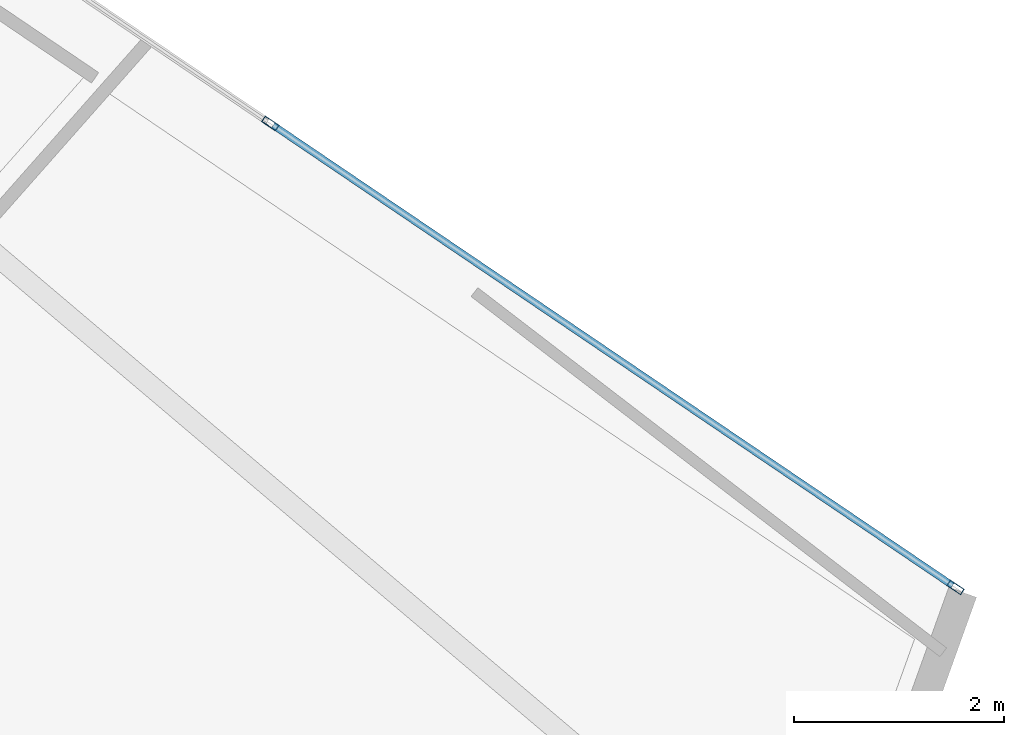
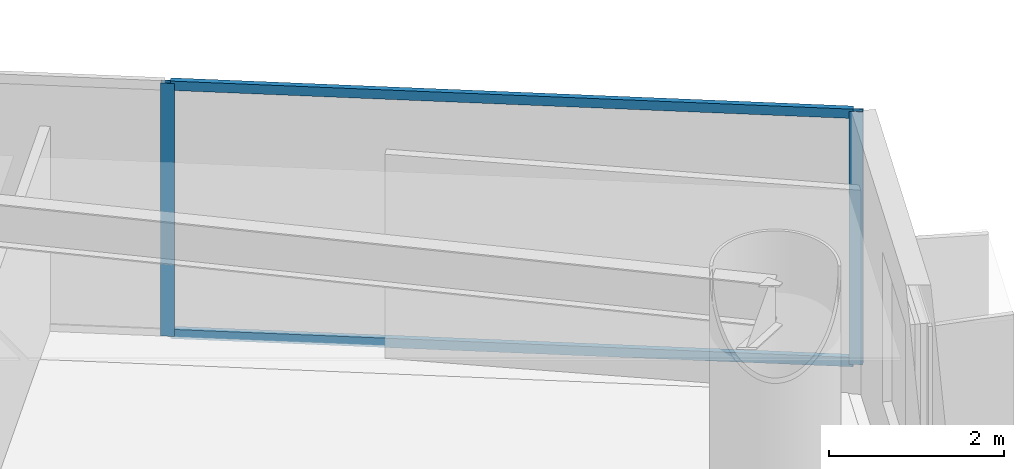
# One storey, part 13 of 21: 4 members, 1 element without a shape of its own.
"""IFC4 building model written with IfcOpenShell, lengths in metres."""

from ifc_helpers import new_model, si_unit, direction, frame, origin, origin_2d, place, context, subcontext, project, spatial, hollow_rectangle, extrude, material, layer, layer_set, material_profile, profile_set, type_object, element, aggregate, save


model = new_model("IFC4")

# Units and contexts
model_context = context("Model", 3, precision=1e-05, world=origin(), true_north=direction((0.0, 1.0)))
body_context = subcontext(model_context, "Body", "Model", "MODEL_VIEW")
ifc_project = project(units=[si_unit("LENGTHUNIT", "METRE"), si_unit("AREAUNIT", "SQUARE_METRE"), si_unit("VOLUMEUNIT", "CUBIC_METRE"), si_unit("PLANEANGLEUNIT", "RADIAN"), si_unit("MASSUNIT", "GRAM", prefix="KILO")], contexts=[model_context])

# Site, building, storey
site_placement = place(None, origin())
site = spatial("IfcSite", under=ifc_project, at=site_placement, CompositionType="ELEMENT")
building_placement = place(site_placement, origin())
building = spatial("IfcBuilding", under=site, at=building_placement, Name="Qianvela Tower", CompositionType="ELEMENT")
storey_placement = place(building_placement, frame((0.0, 0.0, 112.60009765625)))
storey = spatial("IfcBuildingStorey", under=building, at=storey_placement, Name="L28", CompositionType="ELEMENT", Elevation=112.60009765625)

# Curtain wall, members
ifc_material_1 = material(Name="Anodised Architectural Aluminium and Low-E Glass", Category="aluminium")
ifc_layer = layer(ifc_material_1, 0.169921875)
ifc_layer_set = layer_set([ifc_layer], Name="Anodised Architectural Aluminium and Low-E Glass")
curtain_wall_type = type_object("IfcCurtainWallType", Name="CW-COLIV-Z34", PredefinedType="USERDEFINED", material=ifc_layer_set)
curtain_wall_placement = place(storey_placement, origin())
curtain_wall = element("IfcCurtainWall", 1, at=curtain_wall_placement, inside=storey, type_object=curtain_wall_type, Name="L28 CW-COLIV-Z34 Curtain Wall 02A", ObjectType="CURTAIN_WALL_SYSTEM", PredefinedType="USERDEFINED")
ifc_material_2 = material(Name="Anodised Architectural Aluminium 6063-T6", Category="aluminium")
ifc_material_profile_1 = material_profile(ifc_material_2, hollow_rectangle(XDim=0.06494140625, YDim=0.159912109375, WallThickness=0.0048828125, at=origin_2d()), Name="ALU-MULL-65x160")
ifc_profile_set_1 = profile_set([ifc_material_profile_1], Name="Anodised Architectural Aluminium 6063-T6")
member_type_1 = type_object("IfcMemberType", Name="CW-COLIV-Z34-MULL", PredefinedType="MULLION", material=ifc_profile_set_1)
member_1_placement = place(storey_placement, frame((59.6787109375, 26.416748046875, 0.0), z_axis=(0.0, 0.0, 1.0), x_axis=(-0.560826733524, -0.827933194748, 0.0)))
member_1 = element("IfcMember", 2, at=member_1_placement, type_object=member_type_1, Name="CW-4 mullion 1", PredefinedType="MULLION", context=body_context, shape_type="SweptSolid", body=[
    extrude(hollow_rectangle(XDim=0.06494140625, YDim=0.159912109375, WallThickness=0.0048828125, at=origin_2d()), origin(), (0.0, 0.0, 1.0), 3.52001953125),
])
member_2_placement = place(storey_placement, frame((53.1650390625, 30.828857421875, 0.0), z_axis=(0.0, 0.0, 1.0), x_axis=(-0.560826733524, -0.827933194748, 0.0)))
member_2 = element("IfcMember", 3, at=member_2_placement, type_object=member_type_1, Name="CW-4 mullion 2", PredefinedType="MULLION", context=body_context, shape_type="SweptSolid", body=[
    extrude(hollow_rectangle(XDim=0.06494140625, YDim=0.159912109375, WallThickness=0.0048828125, at=origin_2d()), origin(), (0.0, 0.0, 1.0), 3.52001953125),
])
ifc_material_3 = material(Name="Anodised Architectural Aluminium 6063-T6", Category="aluminium")
ifc_material_profile_2 = material_profile(ifc_material_3, hollow_rectangle(XDim=0.06494140625, YDim=0.1298828125, WallThickness=0.00439453125, at=origin_2d()), Name="ALU-TRAN-65x130")
ifc_profile_set_2 = profile_set([ifc_material_profile_2], Name="Anodised Architectural Aluminium 6063-T6")
member_type_2 = type_object("IfcMemberType", Name="CW-COLIV-Z34-TRAN", PredefinedType="USERDEFINED", material=ifc_profile_set_2)
member_3_placement = place(storey_placement, frame((59.65185546875, 26.434814453125, 0.032470703125), z_axis=(-0.827926189236, 0.56083707543, 0.0), x_axis=(-0.56083707543, -0.827926189236, 0.0)))
member_3 = element("IfcMember", 4, at=member_3_placement, type_object=member_type_2, Name="CW-4 transom 1.1", ObjectType="TRANSOM", PredefinedType="USERDEFINED", context=body_context, shape_type="SweptSolid", body=[
    extrude(hollow_rectangle(XDim=0.06494140625, YDim=0.1298828125, WallThickness=0.00439453125, at=origin_2d()), origin(), (0.0, 0.0, 1.0), 7.802490234375),
])
member_4_placement = place(storey_placement, frame((59.65185546875, 26.434814453125, 3.4873046875), z_axis=(-0.827926189236, 0.56083707543, 0.0), x_axis=(-0.56083707543, -0.827926189236, 0.0)))
member_4 = element("IfcMember", 5, at=member_4_placement, type_object=member_type_2, Name="CW-4 transom 1.2", ObjectType="TRANSOM", PredefinedType="USERDEFINED", context=body_context, shape_type="SweptSolid", body=[
    extrude(hollow_rectangle(XDim=0.06494140625, YDim=0.1298828125, WallThickness=0.00439453125, at=origin_2d()), origin(), (0.0, 0.0, 1.0), 7.802490234375),
])
aggregate(curtain_wall, [member_1, member_2, member_3, member_4])

save(model, "model.ifc")
